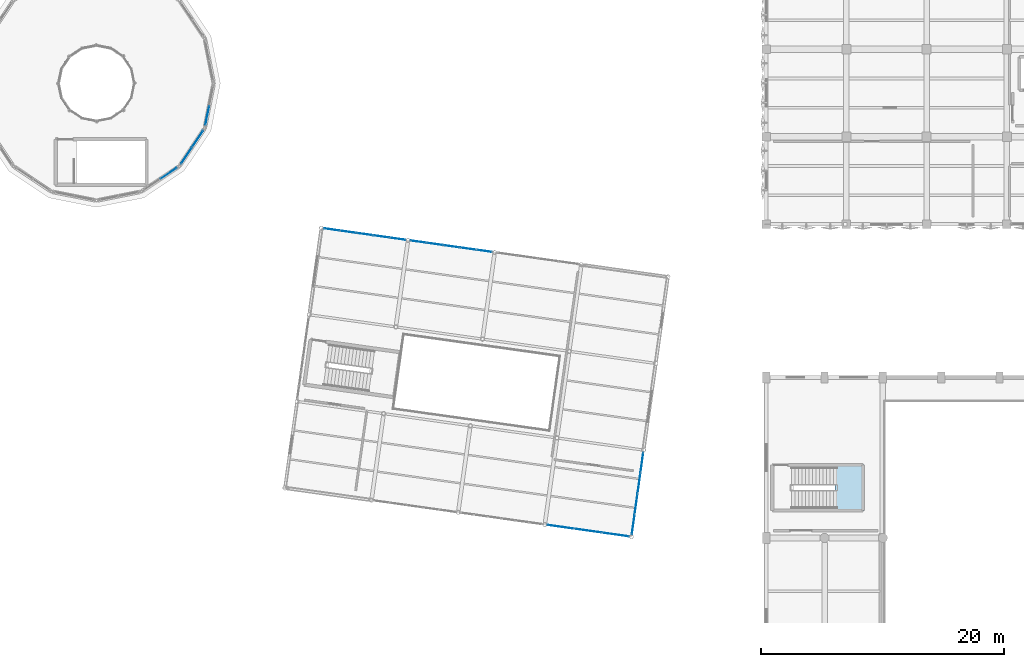
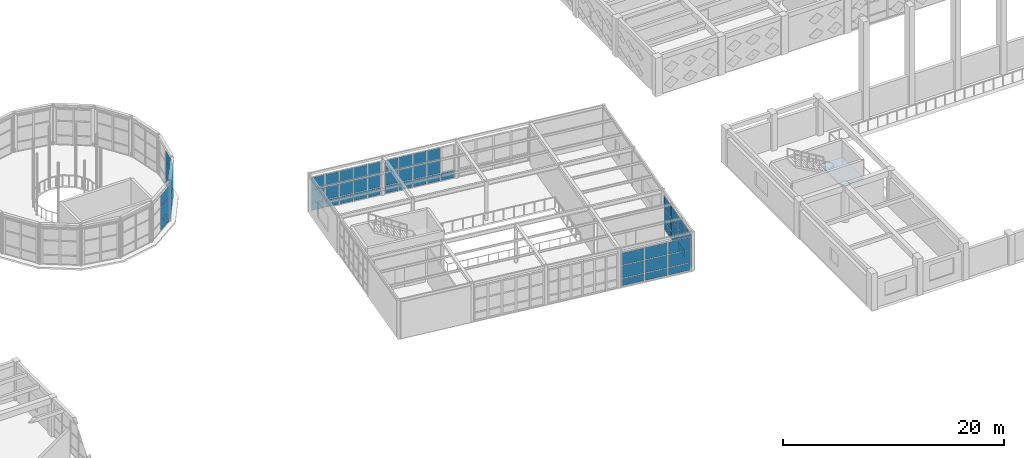
# One storey, part 56 of 80: 61 plates, 1 slab, 8 elements without a shape of their own.
"""IFC4 building model written with IfcOpenShell, lengths in metres."""

from ifc_helpers import new_model, si_unit, direction, frame, origin, origin_2d, place, context, subcontext, project, spatial, polyline, rectangle, outline, extrude, material, layer, layer_set, type_object, element, aggregate, save


model = new_model("IFC4")

# Units and contexts
model_context = context("Model", 3, precision=1e-05, world=origin(), true_north=direction((0.0, 1.0)))
body_context = subcontext(model_context, "Body", "Model", "MODEL_VIEW")
ifc_project = project(units=[si_unit("LENGTHUNIT", "METRE"), si_unit("AREAUNIT", "SQUARE_METRE"), si_unit("VOLUMEUNIT", "CUBIC_METRE"), si_unit("PLANEANGLEUNIT", "RADIAN"), si_unit("MASSUNIT", "GRAM", prefix="KILO")], contexts=[model_context])

# Site, building, storey
site_placement = place(None, origin())
site = spatial("IfcSite", under=ifc_project, at=site_placement, CompositionType="ELEMENT")
building_placement = place(site_placement, origin())
building = spatial("IfcBuilding", under=site, at=building_placement, Name="Kharisveld Research Institute", CompositionType="ELEMENT")
storey_placement = place(building_placement, frame((0.0, 0.0, 5.10009765625)))
storey = spatial("IfcBuildingStorey", under=building, at=storey_placement, Name="L01", CompositionType="ELEMENT", Elevation=5.10009765625)

# Curtain wall, plates
ifc_material_1 = material(Name="Thermally Broken Aluminium Curtain Wall", Category="aluminium")
ifc_layer_1 = layer(ifc_material_1, 0.159912109375)
ifc_layer_set_1 = layer_set([ifc_layer_1], Name="CW_SYS_02")
curtain_wall_type_1 = type_object("IfcCurtainWallType", Name="CW_SYS_02", PredefinedType="NOTDEFINED", material=ifc_layer_set_1)
curtain_wall_1_placement = place(storey_placement, origin())
curtain_wall_1 = element("IfcCurtainWall", 1, at=curtain_wall_1_placement, inside=storey, type_object=curtain_wall_type_1, Name="CW:V4:L01:N0", PredefinedType="NOTDEFINED")
ifc_material_2 = material(Name="Low-E Double Glazing", Category="glass")
ifc_layer_2 = layer(ifc_material_2, 0.028076171875)
ifc_layer_set_2 = layer_set([ifc_layer_2], Name="CW_PNL_GLZ")
plate_type = type_object("IfcPlateType", Name="CW_PNL_GLZ", PredefinedType="CURTAIN_PANEL", material=ifc_layer_set_2)
plate_1_placement = place(storey_placement, frame((78.86083984375, 38.769775390625, 0.06494140625), z_axis=(0.0, 0.0, 1.0), x_axis=(0.990268068426, -0.139173103207, 0.0)))
plate_1 = element("IfcPlate", 2, at=plate_1_placement, type_object=plate_type, Name="CW-02 panel 1.1", PredefinedType="CURTAIN_PANEL", context=body_context, shape_type="SweptSolid", body=[
    extrude(rectangle(XDim=1.272216796875, YDim=0.028076171875, at=origin_2d()), origin(), (0.0, 0.0, 1.0), 0.802490234375),
])
plate_2_placement = place(storey_placement, frame((78.86083984375, 38.769775390625, 0.9326171875), z_axis=(0.0, 0.0, 1.0), x_axis=(0.990268068426, -0.139173103207, 0.0)))
plate_2 = element("IfcPlate", 3, at=plate_2_placement, type_object=plate_type, Name="CW-02 panel 1.2", PredefinedType="CURTAIN_PANEL", context=body_context, shape_type="SweptSolid", body=[
    extrude(rectangle(XDim=1.272216796875, YDim=0.028076171875, at=origin_2d()), origin(), (0.0, 0.0, 1.0), 1.385009765625),
])
plate_3_placement = place(storey_placement, frame((78.86083984375, 38.769775390625, 2.38232421875), z_axis=(0.0, 0.0, 1.0), x_axis=(0.990268068426, -0.139173103207, 0.0)))
plate_3 = element("IfcPlate", 4, at=plate_3_placement, type_object=plate_type, Name="CW-02 panel 1.3", PredefinedType="CURTAIN_PANEL", context=body_context, shape_type="SweptSolid", body=[
    extrude(rectangle(XDim=1.272216796875, YDim=0.028076171875, at=origin_2d()), origin(), (0.0, 0.0, 1.0), 1.33251953125),
])
plate_4_placement = place(storey_placement, frame((80.207275390625, 38.580322265625, 0.06494140625), z_axis=(0.0, 0.0, 1.0), x_axis=(0.990268068426, -0.139173103207, 0.0)))
plate_4 = element("IfcPlate", 5, at=plate_4_placement, type_object=plate_type, Name="CW-02 panel 2.1", PredefinedType="CURTAIN_PANEL", context=body_context, shape_type="SweptSolid", body=[
    extrude(rectangle(XDim=1.30712890625, YDim=0.028076171875, at=origin_2d()), origin(), (0.0, 0.0, 1.0), 0.802490234375),
])
plate_5_placement = place(storey_placement, frame((80.207275390625, 38.580322265625, 0.9326171875), z_axis=(0.0, 0.0, 1.0), x_axis=(0.990268068426, -0.139173103207, 0.0)))
plate_5 = element("IfcPlate", 6, at=plate_5_placement, type_object=plate_type, Name="CW-02 panel 2.2", PredefinedType="CURTAIN_PANEL", context=body_context, shape_type="SweptSolid", body=[
    extrude(rectangle(XDim=1.30712890625, YDim=0.028076171875, at=origin_2d()), origin(), (0.0, 0.0, 1.0), 1.385009765625),
])
plate_6_placement = place(storey_placement, frame((80.207275390625, 38.580322265625, 2.38232421875), z_axis=(0.0, 0.0, 1.0), x_axis=(0.990268068426, -0.139173103207, 0.0)))
plate_6 = element("IfcPlate", 7, at=plate_6_placement, type_object=plate_type, Name="CW-02 panel 2.3", PredefinedType="CURTAIN_PANEL", context=body_context, shape_type="SweptSolid", body=[
    extrude(rectangle(XDim=1.30712890625, YDim=0.028076171875, at=origin_2d()), origin(), (0.0, 0.0, 1.0), 1.33251953125),
])
plate_7_placement = place(storey_placement, frame((81.571044921875, 38.388671875, 0.06494140625), z_axis=(0.0, 0.0, 1.0), x_axis=(0.990268068426, -0.139173103207, 0.0)))
plate_7 = element("IfcPlate", 8, at=plate_7_placement, type_object=plate_type, Name="CW-02 panel 3.1", PredefinedType="CURTAIN_PANEL", context=body_context, shape_type="SweptSolid", body=[
    extrude(rectangle(XDim=1.30712890625, YDim=0.028076171875, at=origin_2d()), origin(), (0.0, 0.0, 1.0), 0.802490234375),
])
plate_8_placement = place(storey_placement, frame((81.571044921875, 38.388671875, 0.9326171875), z_axis=(0.0, 0.0, 1.0), x_axis=(0.990268068426, -0.139173103207, 0.0)))
plate_8 = element("IfcPlate", 9, at=plate_8_placement, type_object=plate_type, Name="CW-02 panel 3.2", PredefinedType="CURTAIN_PANEL", context=body_context, shape_type="SweptSolid", body=[
    extrude(rectangle(XDim=1.30712890625, YDim=0.028076171875, at=origin_2d()), origin(), (0.0, 0.0, 1.0), 1.385009765625),
])
plate_9_placement = place(storey_placement, frame((81.571044921875, 38.388671875, 2.38232421875), z_axis=(0.0, 0.0, 1.0), x_axis=(0.990268068426, -0.139173103207, 0.0)))
plate_9 = element("IfcPlate", 10, at=plate_9_placement, type_object=plate_type, Name="CW-02 panel 3.3", PredefinedType="CURTAIN_PANEL", context=body_context, shape_type="SweptSolid", body=[
    extrude(rectangle(XDim=1.30712890625, YDim=0.028076171875, at=origin_2d()), origin(), (0.0, 0.0, 1.0), 1.33251953125),
])
plate_10_placement = place(storey_placement, frame((82.934814453125, 38.197021484375, 0.06494140625), z_axis=(0.0, 0.0, 1.0), x_axis=(0.990268068426, -0.139173103207, 0.0)))
plate_10 = element("IfcPlate", 11, at=plate_10_placement, type_object=plate_type, Name="CW-02 panel 4.1", PredefinedType="CURTAIN_PANEL", context=body_context, shape_type="SweptSolid", body=[
    extrude(rectangle(XDim=1.30712890625, YDim=0.028076171875, at=origin_2d()), origin(), (0.0, 0.0, 1.0), 0.802490234375),
])
plate_11_placement = place(storey_placement, frame((82.934814453125, 38.197021484375, 0.9326171875), z_axis=(0.0, 0.0, 1.0), x_axis=(0.990268068426, -0.139173103207, 0.0)))
plate_11 = element("IfcPlate", 12, at=plate_11_placement, type_object=plate_type, Name="CW-02 panel 4.2", PredefinedType="CURTAIN_PANEL", context=body_context, shape_type="SweptSolid", body=[
    extrude(rectangle(XDim=1.30712890625, YDim=0.028076171875, at=origin_2d()), origin(), (0.0, 0.0, 1.0), 1.385009765625),
])
plate_12_placement = place(storey_placement, frame((82.934814453125, 38.197021484375, 2.38232421875), z_axis=(0.0, 0.0, 1.0), x_axis=(0.990268068426, -0.139173103207, 0.0)))
plate_12 = element("IfcPlate", 13, at=plate_12_placement, type_object=plate_type, Name="CW-02 panel 4.3", PredefinedType="CURTAIN_PANEL", context=body_context, shape_type="SweptSolid", body=[
    extrude(rectangle(XDim=1.30712890625, YDim=0.028076171875, at=origin_2d()), origin(), (0.0, 0.0, 1.0), 1.33251953125),
])
plate_13_placement = place(storey_placement, frame((84.28125, 38.0078125, 0.06494140625), z_axis=(0.0, 0.0, 1.0), x_axis=(0.990268068426, -0.139173103207, 0.0)))
plate_13 = element("IfcPlate", 14, at=plate_13_placement, type_object=plate_type, Name="CW-02 panel 5.1", PredefinedType="CURTAIN_PANEL", context=body_context, shape_type="SweptSolid", body=[
    extrude(rectangle(XDim=1.272216796875, YDim=0.028076171875, at=origin_2d()), origin(), (0.0, 0.0, 1.0), 0.802490234375),
])
plate_14_placement = place(storey_placement, frame((84.28125, 38.0078125, 0.9326171875), z_axis=(0.0, 0.0, 1.0), x_axis=(0.990268068426, -0.139173103207, 0.0)))
plate_14 = element("IfcPlate", 15, at=plate_14_placement, type_object=plate_type, Name="CW-02 panel 5.2", PredefinedType="CURTAIN_PANEL", context=body_context, shape_type="SweptSolid", body=[
    extrude(rectangle(XDim=1.272216796875, YDim=0.028076171875, at=origin_2d()), origin(), (0.0, 0.0, 1.0), 1.385009765625),
])
plate_15_placement = place(storey_placement, frame((84.28125, 38.0078125, 2.38232421875), z_axis=(0.0, 0.0, 1.0), x_axis=(0.990268068426, -0.139173103207, 0.0)))
plate_15 = element("IfcPlate", 16, at=plate_15_placement, type_object=plate_type, Name="CW-02 panel 5.3", PredefinedType="CURTAIN_PANEL", context=body_context, shape_type="SweptSolid", body=[
    extrude(rectangle(XDim=1.272216796875, YDim=0.028076171875, at=origin_2d()), origin(), (0.0, 0.0, 1.0), 1.33251953125),
])
aggregate(curtain_wall_1, [plate_1, plate_2, plate_3, plate_4, plate_5, plate_6, plate_7, plate_8, plate_9, plate_10, plate_11, plate_12, plate_13, plate_14, plate_15])

ifc_material_3 = material(Name="Thermally Broken Aluminium Curtain Wall", Category="aluminium")
ifc_layer_3 = layer(ifc_material_3, 0.159912109375)
ifc_layer_set_3 = layer_set([ifc_layer_3], Name="CW_SYS_03")
curtain_wall_type_2 = type_object("IfcCurtainWallType", Name="CW_SYS_03", PredefinedType="NOTDEFINED", material=ifc_layer_set_3)
curtain_wall_2_placement = place(storey_placement, origin())
curtain_wall_2 = element("IfcCurtainWall", 17, at=curtain_wall_2_placement, inside=storey, type_object=curtain_wall_type_2, Name="CW:V4:L01:N1", PredefinedType="NOTDEFINED")
plate_16_placement = place(storey_placement, frame((85.99072265625, 37.767578125, 0.06494140625), z_axis=(0.0, 0.0, 1.0), x_axis=(0.990268068426, -0.139173103207, 0.0)))
plate_16 = element("IfcPlate", 18, at=plate_16_placement, type_object=plate_type, Name="CW-03 panel 1.1", PredefinedType="CURTAIN_PANEL", context=body_context, shape_type="SweptSolid", body=[
    extrude(rectangle(XDim=1.272216796875, YDim=0.028076171875, at=origin_2d()), origin(), (0.0, 0.0, 1.0), 0.802490234375),
])
plate_17_placement = place(storey_placement, frame((85.99072265625, 37.767578125, 0.9326171875), z_axis=(0.0, 0.0, 1.0), x_axis=(0.990268068426, -0.139173103207, 0.0)))
plate_17 = element("IfcPlate", 19, at=plate_17_placement, type_object=plate_type, Name="CW-03 panel 1.2", PredefinedType="CURTAIN_PANEL", context=body_context, shape_type="SweptSolid", body=[
    extrude(rectangle(XDim=1.272216796875, YDim=0.028076171875, at=origin_2d()), origin(), (0.0, 0.0, 1.0), 1.385009765625),
])
plate_18_placement = place(storey_placement, frame((85.99072265625, 37.767578125, 2.38232421875), z_axis=(0.0, 0.0, 1.0), x_axis=(0.990268068426, -0.139173103207, 0.0)))
plate_18 = element("IfcPlate", 20, at=plate_18_placement, type_object=plate_type, Name="CW-03 panel 1.3", PredefinedType="CURTAIN_PANEL", context=body_context, shape_type="SweptSolid", body=[
    extrude(rectangle(XDim=1.272216796875, YDim=0.028076171875, at=origin_2d()), origin(), (0.0, 0.0, 1.0), 1.33251953125),
])
plate_19_placement = place(storey_placement, frame((87.337158203125, 37.578369140625, 0.06494140625), z_axis=(0.0, 0.0, 1.0), x_axis=(0.990268068426, -0.139173103207, 0.0)))
plate_19 = element("IfcPlate", 21, at=plate_19_placement, type_object=plate_type, Name="CW-03 panel 2.1", PredefinedType="CURTAIN_PANEL", context=body_context, shape_type="SweptSolid", body=[
    extrude(rectangle(XDim=1.30712890625, YDim=0.028076171875, at=origin_2d()), origin(), (0.0, 0.0, 1.0), 0.802490234375),
])
plate_20_placement = place(storey_placement, frame((87.337158203125, 37.578369140625, 0.9326171875), z_axis=(0.0, 0.0, 1.0), x_axis=(0.990268068426, -0.139173103207, 0.0)))
plate_20 = element("IfcPlate", 22, at=plate_20_placement, type_object=plate_type, Name="CW-03 panel 2.2", PredefinedType="CURTAIN_PANEL", context=body_context, shape_type="SweptSolid", body=[
    extrude(rectangle(XDim=1.30712890625, YDim=0.028076171875, at=origin_2d()), origin(), (0.0, 0.0, 1.0), 1.385009765625),
])
plate_21_placement = place(storey_placement, frame((87.337158203125, 37.578369140625, 2.38232421875), z_axis=(0.0, 0.0, 1.0), x_axis=(0.990268068426, -0.139173103207, 0.0)))
plate_21 = element("IfcPlate", 23, at=plate_21_placement, type_object=plate_type, Name="CW-03 panel 2.3", PredefinedType="CURTAIN_PANEL", context=body_context, shape_type="SweptSolid", body=[
    extrude(rectangle(XDim=1.30712890625, YDim=0.028076171875, at=origin_2d()), origin(), (0.0, 0.0, 1.0), 1.33251953125),
])
plate_22_placement = place(storey_placement, frame((88.700927734375, 37.38671875, 0.06494140625), z_axis=(0.0, 0.0, 1.0), x_axis=(0.990268068426, -0.139173103207, 0.0)))
plate_22 = element("IfcPlate", 24, at=plate_22_placement, type_object=plate_type, Name="CW-03 panel 3.1", PredefinedType="CURTAIN_PANEL", context=body_context, shape_type="SweptSolid", body=[
    extrude(rectangle(XDim=1.30712890625, YDim=0.028076171875, at=origin_2d()), origin(), (0.0, 0.0, 1.0), 0.802490234375),
])
plate_23_placement = place(storey_placement, frame((88.700927734375, 37.38671875, 0.9326171875), z_axis=(0.0, 0.0, 1.0), x_axis=(0.990268068426, -0.139173103207, 0.0)))
plate_23 = element("IfcPlate", 25, at=plate_23_placement, type_object=plate_type, Name="CW-03 panel 3.2", PredefinedType="CURTAIN_PANEL", context=body_context, shape_type="SweptSolid", body=[
    extrude(rectangle(XDim=1.30712890625, YDim=0.028076171875, at=origin_2d()), origin(), (0.0, 0.0, 1.0), 1.385009765625),
])
plate_24_placement = place(storey_placement, frame((88.700927734375, 37.38671875, 2.38232421875), z_axis=(0.0, 0.0, 1.0), x_axis=(0.990268068426, -0.139173103207, 0.0)))
plate_24 = element("IfcPlate", 26, at=plate_24_placement, type_object=plate_type, Name="CW-03 panel 3.3", PredefinedType="CURTAIN_PANEL", context=body_context, shape_type="SweptSolid", body=[
    extrude(rectangle(XDim=1.30712890625, YDim=0.028076171875, at=origin_2d()), origin(), (0.0, 0.0, 1.0), 1.33251953125),
])
plate_25_placement = place(storey_placement, frame((90.06494140625, 37.195068359375, 0.06494140625), z_axis=(0.0, 0.0, 1.0), x_axis=(0.990268068426, -0.139173103207, 0.0)))
plate_25 = element("IfcPlate", 27, at=plate_25_placement, type_object=plate_type, Name="CW-03 panel 4.1", PredefinedType="CURTAIN_PANEL", context=body_context, shape_type="SweptSolid", body=[
    extrude(rectangle(XDim=1.30712890625, YDim=0.028076171875, at=origin_2d()), origin(), (0.0, 0.0, 1.0), 0.802490234375),
])
plate_26_placement = place(storey_placement, frame((90.06494140625, 37.195068359375, 0.9326171875), z_axis=(0.0, 0.0, 1.0), x_axis=(0.990268068426, -0.139173103207, 0.0)))
plate_26 = element("IfcPlate", 28, at=plate_26_placement, type_object=plate_type, Name="CW-03 panel 4.2", PredefinedType="CURTAIN_PANEL", context=body_context, shape_type="SweptSolid", body=[
    extrude(rectangle(XDim=1.30712890625, YDim=0.028076171875, at=origin_2d()), origin(), (0.0, 0.0, 1.0), 1.385009765625),
])
plate_27_placement = place(storey_placement, frame((90.06494140625, 37.195068359375, 2.38232421875), z_axis=(0.0, 0.0, 1.0), x_axis=(0.990268068426, -0.139173103207, 0.0)))
plate_27 = element("IfcPlate", 29, at=plate_27_placement, type_object=plate_type, Name="CW-03 panel 4.3", PredefinedType="CURTAIN_PANEL", context=body_context, shape_type="SweptSolid", body=[
    extrude(rectangle(XDim=1.30712890625, YDim=0.028076171875, at=origin_2d()), origin(), (0.0, 0.0, 1.0), 1.33251953125),
])
plate_28_placement = place(storey_placement, frame((91.411376953125, 37.005859375, 0.06494140625), z_axis=(0.0, 0.0, 1.0), x_axis=(0.990268068426, -0.139173103207, 0.0)))
plate_28 = element("IfcPlate", 30, at=plate_28_placement, type_object=plate_type, Name="CW-03 panel 5.1", PredefinedType="CURTAIN_PANEL", context=body_context, shape_type="SweptSolid", body=[
    extrude(rectangle(XDim=1.272216796875, YDim=0.028076171875, at=origin_2d()), origin(), (0.0, 0.0, 1.0), 0.802490234375),
])
aggregate(curtain_wall_2, [plate_16, plate_17, plate_18, plate_19, plate_20, plate_21, plate_22, plate_23, plate_24, plate_25, plate_26, plate_27, plate_28])

ifc_material_4 = material(Name="Thermally Broken Aluminium Curtain Wall", Category="aluminium")
ifc_layer_4 = layer(ifc_material_4, 0.159912109375)
ifc_layer_set_4 = layer_set([ifc_layer_4], Name="CW_SYS_05")
curtain_wall_type_3 = type_object("IfcCurtainWallType", Name="CW_SYS_05", PredefinedType="NOTDEFINED", material=ifc_layer_set_4)
curtain_wall_3_placement = place(storey_placement, origin())
curtain_wall_3 = element("IfcCurtainWall", 31, at=curtain_wall_3_placement, inside=storey, type_object=curtain_wall_type_3, Name="CW:V4:L01:E1", PredefinedType="NOTDEFINED")
plate_29_placement = place(storey_placement, frame((104.377685546875, 19.5966796875, 0.06494140625), z_axis=(0.0, 0.0, 1.0), x_axis=(-0.139173245605, -0.990268048413, 0.0)))
plate_29 = element("IfcPlate", 32, at=plate_29_placement, type_object=plate_type, Name="CW-05 panel 1.1", PredefinedType="CURTAIN_PANEL", context=body_context, shape_type="SweptSolid", body=[
    extrude(rectangle(XDim=1.616455078125, YDim=0.028076171875, at=origin_2d()), origin(), (0.0, 0.0, 1.0), 0.802490234375),
])
plate_30_placement = place(storey_placement, frame((104.377685546875, 19.5966796875, 0.9326171875), z_axis=(0.0, 0.0, 1.0), x_axis=(-0.139173245605, -0.990268048413, 0.0)))
plate_30 = element("IfcPlate", 33, at=plate_30_placement, type_object=plate_type, Name="CW-05 panel 1.2", PredefinedType="CURTAIN_PANEL", context=body_context, shape_type="SweptSolid", body=[
    extrude(rectangle(XDim=1.616455078125, YDim=0.028076171875, at=origin_2d()), origin(), (0.0, 0.0, 1.0), 1.385009765625),
])
plate_31_placement = place(storey_placement, frame((104.377685546875, 19.5966796875, 2.38232421875), z_axis=(0.0, 0.0, 1.0), x_axis=(-0.139173245605, -0.990268048413, 0.0)))
plate_31 = element("IfcPlate", 34, at=plate_31_placement, type_object=plate_type, Name="CW-05 panel 1.3", PredefinedType="CURTAIN_PANEL", context=body_context, shape_type="SweptSolid", body=[
    extrude(rectangle(XDim=1.616455078125, YDim=0.028076171875, at=origin_2d()), origin(), (0.0, 0.0, 1.0), 1.33251953125),
])
plate_32_placement = place(storey_placement, frame((104.140625, 17.9091796875, 0.06494140625), z_axis=(0.0, 0.0, 1.0), x_axis=(-0.139173245605, -0.990268048413, 0.0)))
plate_32 = element("IfcPlate", 35, at=plate_32_placement, type_object=plate_type, Name="CW-05 panel 2.1", PredefinedType="CURTAIN_PANEL", context=body_context, shape_type="SweptSolid", body=[
    extrude(rectangle(XDim=1.651611328125, YDim=0.028076171875, at=origin_2d()), origin(), (0.0, 0.0, 1.0), 0.802490234375),
])
plate_33_placement = place(storey_placement, frame((104.140625, 17.9091796875, 0.9326171875), z_axis=(0.0, 0.0, 1.0), x_axis=(-0.139173245605, -0.990268048413, 0.0)))
plate_33 = element("IfcPlate", 36, at=plate_33_placement, type_object=plate_type, Name="CW-05 panel 2.2", PredefinedType="CURTAIN_PANEL", context=body_context, shape_type="SweptSolid", body=[
    extrude(rectangle(XDim=1.651611328125, YDim=0.028076171875, at=origin_2d()), origin(), (0.0, 0.0, 1.0), 1.385009765625),
])
plate_34_placement = place(storey_placement, frame((104.140625, 17.9091796875, 2.38232421875), z_axis=(0.0, 0.0, 1.0), x_axis=(-0.139173245605, -0.990268048413, 0.0)))
plate_34 = element("IfcPlate", 37, at=plate_34_placement, type_object=plate_type, Name="CW-05 panel 2.3", PredefinedType="CURTAIN_PANEL", context=body_context, shape_type="SweptSolid", body=[
    extrude(rectangle(XDim=1.651611328125, YDim=0.028076171875, at=origin_2d()), origin(), (0.0, 0.0, 1.0), 1.33251953125),
])
plate_35_placement = place(storey_placement, frame((103.90087890625, 16.204345703125, 0.06494140625), z_axis=(0.0, 0.0, 1.0), x_axis=(-0.139173245605, -0.990268048413, 0.0)))
plate_35 = element("IfcPlate", 38, at=plate_35_placement, type_object=plate_type, Name="CW-05 panel 3.1", PredefinedType="CURTAIN_PANEL", context=body_context, shape_type="SweptSolid", body=[
    extrude(rectangle(XDim=1.651611328125, YDim=0.028076171875, at=origin_2d()), origin(), (0.0, 0.0, 1.0), 0.802490234375),
])
plate_36_placement = place(storey_placement, frame((103.90087890625, 16.204345703125, 0.9326171875), z_axis=(0.0, 0.0, 1.0), x_axis=(-0.139173245605, -0.990268048413, 0.0)))
plate_36 = element("IfcPlate", 39, at=plate_36_placement, type_object=plate_type, Name="CW-05 panel 3.2", PredefinedType="CURTAIN_PANEL", context=body_context, shape_type="SweptSolid", body=[
    extrude(rectangle(XDim=1.651611328125, YDim=0.028076171875, at=origin_2d()), origin(), (0.0, 0.0, 1.0), 1.385009765625),
])
plate_37_placement = place(storey_placement, frame((103.90087890625, 16.204345703125, 2.38232421875), z_axis=(0.0, 0.0, 1.0), x_axis=(-0.139173245605, -0.990268048413, 0.0)))
plate_37 = element("IfcPlate", 40, at=plate_37_placement, type_object=plate_type, Name="CW-05 panel 3.3", PredefinedType="CURTAIN_PANEL", context=body_context, shape_type="SweptSolid", body=[
    extrude(rectangle(XDim=1.651611328125, YDim=0.028076171875, at=origin_2d()), origin(), (0.0, 0.0, 1.0), 1.33251953125),
])
plate_38_placement = place(storey_placement, frame((103.663818359375, 14.51708984375, 0.06494140625), z_axis=(0.0, 0.0, 1.0), x_axis=(-0.139173245605, -0.990268048413, 0.0)))
plate_38 = element("IfcPlate", 41, at=plate_38_placement, type_object=plate_type, Name="CW-05 panel 4.1", PredefinedType="CURTAIN_PANEL", context=body_context, shape_type="SweptSolid", body=[
    extrude(rectangle(XDim=1.616455078125, YDim=0.028076171875, at=origin_2d()), origin(), (0.0, 0.0, 1.0), 0.802490234375),
])
plate_39_placement = place(storey_placement, frame((103.663818359375, 14.51708984375, 0.9326171875), z_axis=(0.0, 0.0, 1.0), x_axis=(-0.139173245605, -0.990268048413, 0.0)))
plate_39 = element("IfcPlate", 42, at=plate_39_placement, type_object=plate_type, Name="CW-05 panel 4.2", PredefinedType="CURTAIN_PANEL", context=body_context, shape_type="SweptSolid", body=[
    extrude(rectangle(XDim=1.616455078125, YDim=0.028076171875, at=origin_2d()), origin(), (0.0, 0.0, 1.0), 1.385009765625),
])
plate_40_placement = place(storey_placement, frame((103.663818359375, 14.51708984375, 2.38232421875), z_axis=(0.0, 0.0, 1.0), x_axis=(-0.139173245605, -0.990268048413, 0.0)))
plate_40 = element("IfcPlate", 43, at=plate_40_placement, type_object=plate_type, Name="CW-05 panel 4.3", PredefinedType="CURTAIN_PANEL", context=body_context, shape_type="SweptSolid", body=[
    extrude(rectangle(XDim=1.616455078125, YDim=0.028076171875, at=origin_2d()), origin(), (0.0, 0.0, 1.0), 1.33251953125),
])
aggregate(curtain_wall_3, [plate_29, plate_30, plate_31, plate_32, plate_33, plate_34, plate_35, plate_36, plate_37, plate_38, plate_39, plate_40])

ifc_material_5 = material(Name="Thermally Broken Aluminium Curtain Wall", Category="aluminium")
ifc_layer_5 = layer(ifc_material_5, 0.159912109375)
ifc_layer_set_5 = layer_set([ifc_layer_5], Name="CW_SYS_06")
curtain_wall_type_4 = type_object("IfcCurtainWallType", Name="CW_SYS_06", PredefinedType="NOTDEFINED", material=ifc_layer_set_5)
curtain_wall_4_placement = place(storey_placement, origin())
curtain_wall_4 = element("IfcCurtainWall", 44, at=curtain_wall_4_placement, inside=storey, type_object=curtain_wall_type_4, Name="CW:V4:L01:S4", PredefinedType="NOTDEFINED")
plate_41_placement = place(storey_placement, frame((102.21044921875, 13.67578125, 0.06494140625), z_axis=(0.0, 0.0, 1.0), x_axis=(-0.990268068426, 0.139173103207, 0.0)))
plate_41 = element("IfcPlate", 45, at=plate_41_placement, type_object=plate_type, Name="CW-06 panel 1.1", PredefinedType="CURTAIN_PANEL", context=body_context, shape_type="SweptSolid", body=[
    extrude(rectangle(XDim=2.1904296875, YDim=0.028076171875, at=origin_2d()), origin(), (0.0, 0.0, 1.0), 0.802490234375),
])
plate_42_placement = place(storey_placement, frame((102.21044921875, 13.67578125, 0.9326171875), z_axis=(0.0, 0.0, 1.0), x_axis=(-0.990268068426, 0.139173103207, 0.0)))
plate_42 = element("IfcPlate", 46, at=plate_42_placement, type_object=plate_type, Name="CW-06 panel 1.2", PredefinedType="CURTAIN_PANEL", context=body_context, shape_type="SweptSolid", body=[
    extrude(rectangle(XDim=2.1904296875, YDim=0.028076171875, at=origin_2d()), origin(), (0.0, 0.0, 1.0), 1.385009765625),
])
plate_43_placement = place(storey_placement, frame((102.21044921875, 13.67578125, 2.38232421875), z_axis=(0.0, 0.0, 1.0), x_axis=(-0.990268068426, 0.139173103207, 0.0)))
plate_43 = element("IfcPlate", 47, at=plate_43_placement, type_object=plate_type, Name="CW-06 panel 1.3", PredefinedType="CURTAIN_PANEL", context=body_context, shape_type="SweptSolid", body=[
    extrude(rectangle(XDim=2.1904296875, YDim=0.028076171875, at=origin_2d()), origin(), (0.0, 0.0, 1.0), 1.33251953125),
])
plate_44_placement = place(storey_placement, frame((99.954833984375, 13.992919921875, 0.06494140625), z_axis=(0.0, 0.0, 1.0), x_axis=(-0.990268068426, 0.139173103207, 0.0)))
plate_44 = element("IfcPlate", 48, at=plate_44_placement, type_object=plate_type, Name="CW-06 panel 2.1", PredefinedType="CURTAIN_PANEL", context=body_context, shape_type="SweptSolid", body=[
    extrude(rectangle(XDim=2.225341796875, YDim=0.028076171875, at=origin_2d()), origin(), (0.0, 0.0, 1.0), 0.802490234375),
])
plate_45_placement = place(storey_placement, frame((99.954833984375, 13.992919921875, 0.9326171875), z_axis=(0.0, 0.0, 1.0), x_axis=(-0.990268068426, 0.139173103207, 0.0)))
plate_45 = element("IfcPlate", 49, at=plate_45_placement, type_object=plate_type, Name="CW-06 panel 2.2", PredefinedType="CURTAIN_PANEL", context=body_context, shape_type="SweptSolid", body=[
    extrude(rectangle(XDim=2.225341796875, YDim=0.028076171875, at=origin_2d()), origin(), (0.0, 0.0, 1.0), 1.385009765625),
])
plate_46_placement = place(storey_placement, frame((99.954833984375, 13.992919921875, 2.38232421875), z_axis=(0.0, 0.0, 1.0), x_axis=(-0.990268068426, 0.139173103207, 0.0)))
plate_46 = element("IfcPlate", 50, at=plate_46_placement, type_object=plate_type, Name="CW-06 panel 2.3", PredefinedType="CURTAIN_PANEL", context=body_context, shape_type="SweptSolid", body=[
    extrude(rectangle(XDim=2.225341796875, YDim=0.028076171875, at=origin_2d()), origin(), (0.0, 0.0, 1.0), 1.33251953125),
])
plate_47_placement = place(storey_placement, frame((97.698974609375, 14.309814453125, 0.06494140625), z_axis=(0.0, 0.0, 1.0), x_axis=(-0.990268068426, 0.139173103207, 0.0)))
plate_47 = element("IfcPlate", 51, at=plate_47_placement, type_object=plate_type, Name="CW-06 panel 3.1", PredefinedType="CURTAIN_PANEL", context=body_context, shape_type="SweptSolid", body=[
    extrude(rectangle(XDim=2.1904296875, YDim=0.028076171875, at=origin_2d()), origin(), (0.0, 0.0, 1.0), 0.802490234375),
])
plate_48_placement = place(storey_placement, frame((97.698974609375, 14.309814453125, 0.9326171875), z_axis=(0.0, 0.0, 1.0), x_axis=(-0.990268068426, 0.139173103207, 0.0)))
plate_48 = element("IfcPlate", 52, at=plate_48_placement, type_object=plate_type, Name="CW-06 panel 3.2", PredefinedType="CURTAIN_PANEL", context=body_context, shape_type="SweptSolid", body=[
    extrude(rectangle(XDim=2.1904296875, YDim=0.028076171875, at=origin_2d()), origin(), (0.0, 0.0, 1.0), 1.385009765625),
])
plate_49_placement = place(storey_placement, frame((97.698974609375, 14.309814453125, 2.38232421875), z_axis=(0.0, 0.0, 1.0), x_axis=(-0.990268068426, 0.139173103207, 0.0)))
plate_49 = element("IfcPlate", 53, at=plate_49_placement, type_object=plate_type, Name="CW-06 panel 3.3", PredefinedType="CURTAIN_PANEL", context=body_context, shape_type="SweptSolid", body=[
    extrude(rectangle(XDim=2.1904296875, YDim=0.028076171875, at=origin_2d()), origin(), (0.0, 0.0, 1.0), 1.33251953125),
])
aggregate(curtain_wall_4, [plate_41, plate_42, plate_43, plate_44, plate_45, plate_46, plate_47, plate_48, plate_49])

curtain_wall_5_placement = place(storey_placement, origin())
curtain_wall_5 = element("IfcCurtainWall", 54, at=curtain_wall_5_placement, inside=storey, type_object=curtain_wall_type_1, Name="CW:V6:L01:CHORD13", PredefinedType="NOTDEFINED")
plate_50_placement = place(storey_placement, frame((65.43798828125, 43.384765625, 0.059814453125), z_axis=(0.0, 0.0, 1.0), x_axis=(-0.831469694616, -0.555570109828, 0.0)))
plate_50 = element("IfcPlate", 55, at=plate_50_placement, type_object=plate_type, Name="CW-02 panel 1.1", PredefinedType="CURTAIN_PANEL", context=body_context, shape_type="SweptSolid", body=[
    extrude(rectangle(XDim=1.570068359375, YDim=0.028076171875, at=origin_2d()), origin(), (0.0, 0.0, 1.0), 0.9599609375),
])
plate_51_placement = place(storey_placement, frame((65.43798828125, 43.384765625, 1.079833984375), z_axis=(0.0, 0.0, 1.0), x_axis=(-0.831469694616, -0.555570109828, 0.0)))
plate_51 = element("IfcPlate", 56, at=plate_51_placement, type_object=plate_type, Name="CW-02 panel 1.2", PredefinedType="CURTAIN_PANEL", context=body_context, shape_type="SweptSolid", body=[
    extrude(rectangle(XDim=1.570068359375, YDim=0.028076171875, at=origin_2d()), origin(), (0.0, 0.0, 1.0), 1.5400390625),
])
plate_52_placement = place(storey_placement, frame((65.43798828125, 43.384765625, 2.6796875), z_axis=(0.0, 0.0, 1.0), x_axis=(-0.831469694616, -0.555570109828, 0.0)))
plate_52 = element("IfcPlate", 57, at=plate_52_placement, type_object=plate_type, Name="CW-02 panel 1.3", PredefinedType="CURTAIN_PANEL", context=body_context, shape_type="SweptSolid", body=[
    extrude(rectangle(XDim=1.570068359375, YDim=0.028076171875, at=origin_2d()), origin(), (0.0, 0.0, 1.0), 1.260009765625),
])
aggregate(curtain_wall_5, [plate_50, plate_51, plate_52])

curtain_wall_6_placement = place(storey_placement, origin())
curtain_wall_6 = element("IfcCurtainWall", 58, at=curtain_wall_6_placement, inside=storey, type_object=curtain_wall_type_2, Name="CW:V6:L01:CHORD14", PredefinedType="NOTDEFINED")
plate_53_placement = place(storey_placement, frame((67.82373046875, 46.221435546875, 0.059814453125), z_axis=(0.0, 0.0, 1.0), x_axis=(-0.555570109828, -0.831469694616, 0.0)))
plate_53 = element("IfcPlate", 59, at=plate_53_placement, type_object=plate_type, Name="CW-03 panel 1.1", PredefinedType="CURTAIN_PANEL", context=body_context, shape_type="SweptSolid", body=[
    extrude(rectangle(XDim=1.570068359375, YDim=0.028076171875, at=origin_2d()), origin(), (0.0, 0.0, 1.0), 0.9599609375),
])
plate_54_placement = place(storey_placement, frame((67.82373046875, 46.221435546875, 1.079833984375), z_axis=(0.0, 0.0, 1.0), x_axis=(-0.555570109828, -0.831469694616, 0.0)))
plate_54 = element("IfcPlate", 60, at=plate_54_placement, type_object=plate_type, Name="CW-03 panel 1.2", PredefinedType="CURTAIN_PANEL", context=body_context, shape_type="SweptSolid", body=[
    extrude(rectangle(XDim=1.570068359375, YDim=0.028076171875, at=origin_2d()), origin(), (0.0, 0.0, 1.0), 1.5400390625),
])
plate_55_placement = place(storey_placement, frame((67.82373046875, 46.221435546875, 2.6796875), z_axis=(0.0, 0.0, 1.0), x_axis=(-0.555570109828, -0.831469694616, 0.0)))
plate_55 = element("IfcPlate", 61, at=plate_55_placement, type_object=plate_type, Name="CW-03 panel 1.3", PredefinedType="CURTAIN_PANEL", context=body_context, shape_type="SweptSolid", body=[
    extrude(rectangle(XDim=1.570068359375, YDim=0.028076171875, at=origin_2d()), origin(), (0.0, 0.0, 1.0), 1.260009765625),
])
plate_56_placement = place(storey_placement, frame((66.915283203125, 44.862060546875, 0.059814453125), z_axis=(0.0, 0.0, 1.0), x_axis=(-0.555570109828, -0.831469694616, 0.0)))
plate_56 = element("IfcPlate", 62, at=plate_56_placement, type_object=plate_type, Name="CW-03 panel 2.1", PredefinedType="CURTAIN_PANEL", context=body_context, shape_type="SweptSolid", body=[
    extrude(rectangle(XDim=1.570068359375, YDim=0.028076171875, at=origin_2d()), origin(), (0.0, 0.0, 1.0), 0.9599609375),
])
plate_57_placement = place(storey_placement, frame((66.915283203125, 44.862060546875, 1.079833984375), z_axis=(0.0, 0.0, 1.0), x_axis=(-0.555570109828, -0.831469694616, 0.0)))
plate_57 = element("IfcPlate", 63, at=plate_57_placement, type_object=plate_type, Name="CW-03 panel 2.2", PredefinedType="CURTAIN_PANEL", context=body_context, shape_type="SweptSolid", body=[
    extrude(rectangle(XDim=1.570068359375, YDim=0.028076171875, at=origin_2d()), origin(), (0.0, 0.0, 1.0), 1.5400390625),
])
plate_58_placement = place(storey_placement, frame((66.915283203125, 44.862060546875, 2.6796875), z_axis=(0.0, 0.0, 1.0), x_axis=(-0.555570109828, -0.831469694616, 0.0)))
plate_58 = element("IfcPlate", 64, at=plate_58_placement, type_object=plate_type, Name="CW-03 panel 2.3", PredefinedType="CURTAIN_PANEL", context=body_context, shape_type="SweptSolid", body=[
    extrude(rectangle(XDim=1.570068359375, YDim=0.028076171875, at=origin_2d()), origin(), (0.0, 0.0, 1.0), 1.260009765625),
])
aggregate(curtain_wall_6, [plate_53, plate_54, plate_55, plate_56, plate_57, plate_58])

ifc_material_6 = material(Name="Thermally Broken Aluminium Curtain Wall", Category="aluminium")
ifc_layer_6 = layer(ifc_material_6, 0.159912109375)
ifc_layer_set_6 = layer_set([ifc_layer_6], Name="CW_SYS_04")
curtain_wall_type_5 = type_object("IfcCurtainWallType", Name="CW_SYS_04", PredefinedType="NOTDEFINED", material=ifc_layer_set_6)
curtain_wall_7_placement = place(storey_placement, origin())
curtain_wall_7 = element("IfcCurtainWall", 65, at=curtain_wall_7_placement, inside=storey, type_object=curtain_wall_type_5, Name="CW:V6:L01:CHORD15", PredefinedType="NOTDEFINED")
plate_59_placement = place(storey_placement, frame((68.623291015625, 48.151611328125, 0.059814453125), z_axis=(0.0, 0.0, 1.0), x_axis=(-0.195090730724, -0.980785199106, 0.0)))
plate_59 = element("IfcPlate", 66, at=plate_59_placement, type_object=plate_type, Name="CW-04 panel 2.1", PredefinedType="CURTAIN_PANEL", context=body_context, shape_type="SweptSolid", body=[
    extrude(rectangle(XDim=1.570068359375, YDim=0.028076171875, at=origin_2d()), origin(), (0.0, 0.0, 1.0), 0.9599609375),
])
plate_60_placement = place(storey_placement, frame((68.623291015625, 48.151611328125, 1.079833984375), z_axis=(0.0, 0.0, 1.0), x_axis=(-0.195090730724, -0.980785199106, 0.0)))
plate_60 = element("IfcPlate", 67, at=plate_60_placement, type_object=plate_type, Name="CW-04 panel 2.2", PredefinedType="CURTAIN_PANEL", context=body_context, shape_type="SweptSolid", body=[
    extrude(rectangle(XDim=1.570068359375, YDim=0.028076171875, at=origin_2d()), origin(), (0.0, 0.0, 1.0), 1.5400390625),
])
plate_61_placement = place(storey_placement, frame((68.623291015625, 48.151611328125, 2.6796875), z_axis=(0.0, 0.0, 1.0), x_axis=(-0.195090730724, -0.980785199106, 0.0)))
plate_61 = element("IfcPlate", 68, at=plate_61_placement, type_object=plate_type, Name="CW-04 panel 2.3", PredefinedType="CURTAIN_PANEL", context=body_context, shape_type="SweptSolid", body=[
    extrude(rectangle(XDim=1.570068359375, YDim=0.028076171875, at=origin_2d()), origin(), (0.0, 0.0, 1.0), 1.260009765625),
])
aggregate(curtain_wall_7, [plate_59, plate_60, plate_61])

# Stair, slab
ifc_material_7 = material(Name="Concrete C40/50", Category="concrete")
stair_type = type_object("IfcStairType", Name="ST_FEAT_154", PredefinedType="TWO_STRAIGHT_RUN_STAIR", material=ifc_material_7)
stair_placement = place(storey_placement, origin())
stair = element("IfcStair", 69, at=stair_placement, inside=storey, type_object=stair_type, Name="STR:ST6:L01", PredefinedType="TWO_STRAIGHT_RUN_STAIR")
ifc_material_8 = material(Name="Concrete C40/50", Category="concrete")
ifc_layer_7 = layer(ifc_material_8, 0.179931640625)
ifc_layer_set_7 = layer_set([ifc_layer_7], Name="SL_LND_180")
slab_type = type_object("IfcSlabType", Name="SL_LND_180", PredefinedType="LANDING", material=ifc_layer_set_7)
slab_placement = place(storey_placement, frame((0.0, 0.0, 2.06982421875)))
slab = element("IfcSlab", 70, at=slab_placement, type_object=slab_type, Name="ST-06 landing 1", PredefinedType="LANDING", context=body_context, shape_type="SweptSolid", body=[
    extrude(outline(polyline([(120.260009765625, 15.6201171875), (122.60009765625, 15.6201171875), (122.60009765625, 19.419921875), (120.260009765625, 19.419921875), (120.260009765625, 15.6201171875)])), origin(), (0.0, 0.0, 1.0), 0.18017578125),
])
aggregate(stair, [slab])

save(model, "model.ifc")
